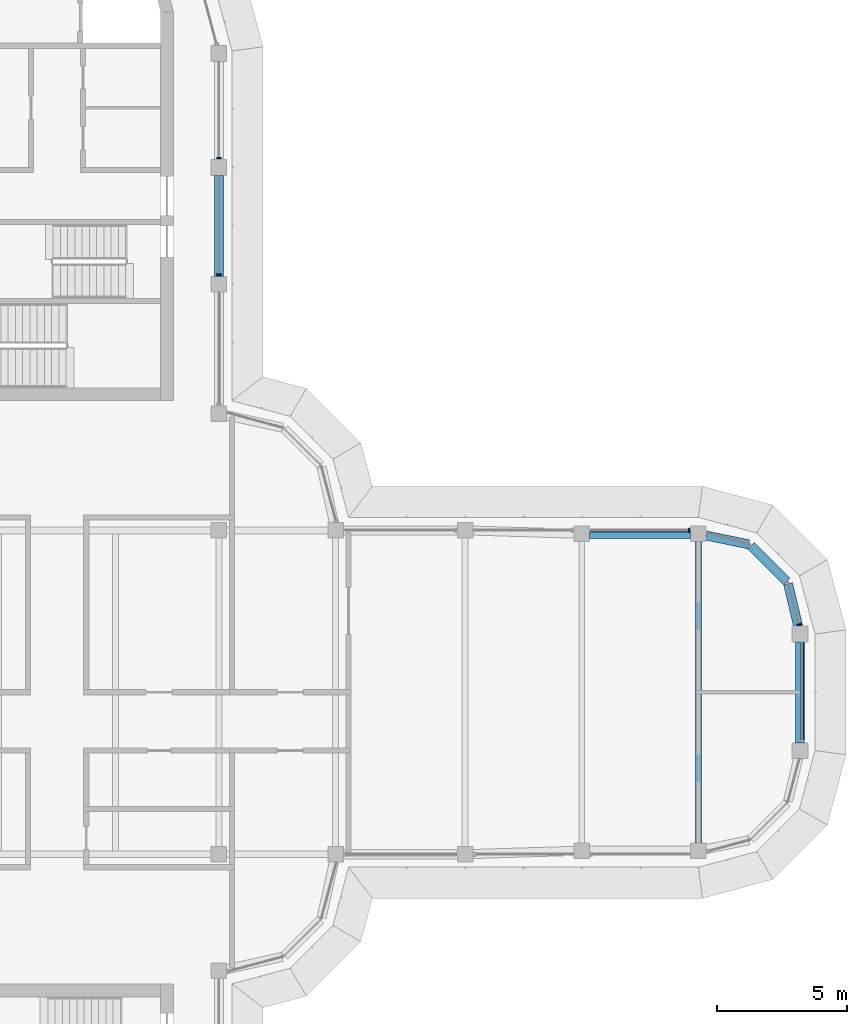
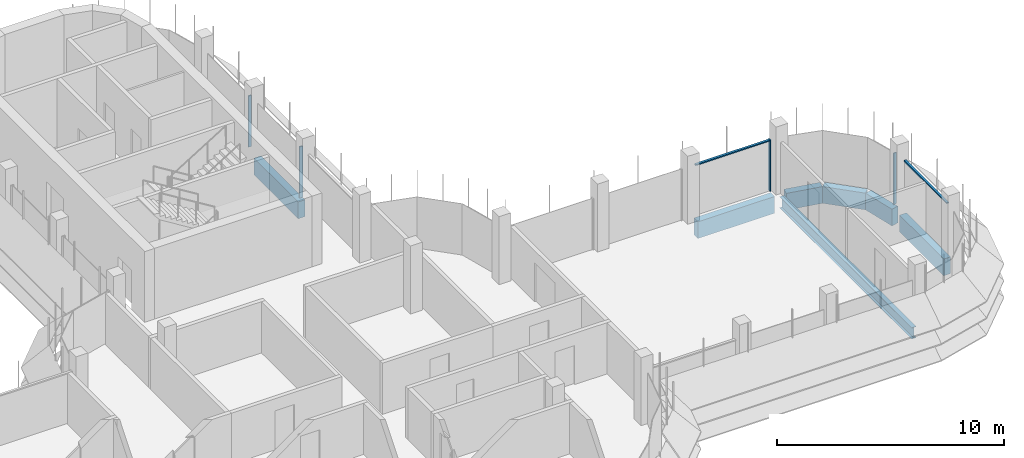
# One storey, part 9 of 19: 7 beams, 6 members, 4 elements without a shape of their own.
"""IFC4 building model written with IfcOpenShell, lengths in metres."""

from ifc_helpers import new_model, si_unit, direction, frame, origin, origin_2d, place, context, subcontext, project, spatial, polyline, rectangle, i_section, outline, extrude, source, transform, mapped, material, material_profile, profile_set, type_object, element, aggregate, save


model = new_model("IFC4")

# Units and contexts
model_context = context("Model", 3, precision=1e-05, world=origin(), true_north=direction((0.0, 1.0)))
body_context = subcontext(model_context, "Body", "Model", "MODEL_VIEW")
ifc_project = project(units=[si_unit("LENGTHUNIT", "METRE"), si_unit("AREAUNIT", "SQUARE_METRE"), si_unit("VOLUMEUNIT", "CUBIC_METRE"), si_unit("PLANEANGLEUNIT", "RADIAN"), si_unit("MASSUNIT", "GRAM", prefix="KILO")], contexts=[model_context])

# Site, building, storey
site_placement = place(None, origin())
site = spatial("IfcSite", under=ifc_project, at=site_placement, CompositionType="ELEMENT")
building_placement = place(site_placement, origin())
building = spatial("IfcBuilding", under=site, at=building_placement, Name="Zarbagh Exchange Tower", CompositionType="ELEMENT")
storey_placement = place(building_placement, frame((0.0, 0.0, 276.39990234375)))
storey = spatial("IfcBuildingStorey", under=building, at=storey_placement, Name="L68", CompositionType="ELEMENT", Elevation=276.39990234375)

# Beams
ifc_material_1 = material(Name="Steel ASTM A992 Gr 50", Category="steel")
ifc_material_profile_1 = material_profile(ifc_material_1, i_section(OverallWidth=0.228271484375, OverallDepth=0.607177734375, WebThickness=0.01123046875, FlangeThickness=0.017333984375, at=origin_2d()), Name="W24X76")
ifc_profile_set_1 = profile_set([ifc_material_profile_1], Name="Steel ASTM A992 Gr 50")
beam_type_1 = type_object("IfcBeamType", Name="Floor beam W24X76", PredefinedType="BEAM", material=ifc_profile_set_1)
beam_1_placement = place(storey_placement, frame((24.75, -5.81005859375, -0.453369140625), z_axis=(0.0, 1.0, 0.0), x_axis=(-1.0, 0.0, 0.0)))
element("IfcBeam", 1, at=beam_1_placement, inside=storey, type_object=beam_type_1, Name="Steel floor beam", PredefinedType="BEAM", context=body_context, shape_type="SweptSolid", body=[
    extrude(i_section(OverallWidth=0.228271484375, OverallDepth=0.607177734375, WebThickness=0.01123046875, FlangeThickness=0.017333984375, at=origin_2d()), origin(), (0.0, 0.0, 1.0), 11.6201171875),
])
ifc_material_2 = material(Name="Concrete C40/50", Category="concrete")
ifc_material_profile_2 = material_profile(ifc_material_2, rectangle(XDim=0.35009765625, YDim=0.89990234375, at=origin_2d()), Name="RC spandrel beam 350 x 900 C40/50")
ifc_profile_set_2 = profile_set([ifc_material_profile_2], Name="Concrete C40/50")
beam_type_2 = type_object("IfcBeamType", Name="RC spandrel beam 350 x 900 C40/50", PredefinedType="SPANDREL", material=ifc_profile_set_2)
for number, where, z_axis, x_axis, name in (
    (2, (6.25, 19.949951171875, -0.599853515625), (0.0, -1.0, 0.0), (1.0, 0.0, 0.0), "RC spandrel beam"),
    (3, (20.550048828125, 6.110107421875, -0.599853515625), (1.0, 0.0, 0.0), (0.0, 1.0, 0.0), "RC spandrel beam"),
):
    element("IfcBeam", number, at=place(storey_placement, frame(where, z_axis=z_axis, x_axis=x_axis)), inside=storey, type_object=beam_type_2, Name=name, PredefinedType="SPANDREL", context=body_context, shape_type="SweptSolid", body=[
        extrude(rectangle(XDim=0.35009765625, YDim=0.89990234375, at=origin_2d()), origin(), (0.0, 0.0, 1.0), 3.89990234375),
    ])
beam_2_placement = place(storey_placement, frame((25.043701171875, 6.04931640625, -0.599853515625), z_axis=(0.979349753205, -0.202173343684, 0.0), x_axis=(0.202173343684, 0.979349753205, 0.0)))
element("IfcBeam", 4, at=beam_2_placement, inside=storey, type_object=beam_type_2, Name="RC spandrel beam", PredefinedType="SPANDREL", context=body_context, shape_type="SweptSolid", body=[
    extrude(rectangle(XDim=0.35009765625, YDim=0.89990234375, at=origin_2d()), origin(), (0.0, 0.0, 1.0), 1.680908203125),
])
beam_3_placement = place(storey_placement, frame((26.7783203125, 5.661865234375, -0.599853515625), z_axis=(0.707106781187, -0.707106781187, 0.0), x_axis=(0.707106781187, 0.707106781187, 0.0)))
element("IfcBeam", 5, at=beam_3_placement, inside=storey, type_object=beam_type_2, Name="RC spandrel beam", PredefinedType="SPANDREL", context=body_context, shape_type="SweptSolid", body=[
    extrude(rectangle(XDim=0.35009765625, YDim=0.89990234375, at=origin_2d()), origin(), (0.0, 0.0, 1.0), 1.95947265625),
])
beam_4_placement = place(storey_placement, frame((28.210205078125, 4.19287109375, -0.599853515625), z_axis=(0.230258391117, -0.973129525459, 0.0), x_axis=(0.973129525459, 0.230258391117, 0.0)))
element("IfcBeam", 6, at=beam_4_placement, inside=storey, type_object=beam_type_2, Name="RC spandrel beam", PredefinedType="SPANDREL", context=body_context, shape_type="SweptSolid", body=[
    extrude(rectangle(XDim=0.35009765625, YDim=0.89990234375, at=origin_2d()), origin(), (0.0, 0.0, 1.0), 1.696533203125),
])
beam_5_placement = place(storey_placement, frame((28.669921875, 1.949951171875, -0.599853515625), z_axis=(0.0, -1.0, 0.0), x_axis=(1.0, 0.0, 0.0)))
element("IfcBeam", 7, at=beam_5_placement, inside=storey, type_object=beam_type_2, Name="RC spandrel beam", PredefinedType="SPANDREL", context=body_context, shape_type="SweptSolid", body=[
    extrude(rectangle(XDim=0.35009765625, YDim=0.89990234375, at=origin_2d()), origin(), (0.0, 0.0, 1.0), 3.89990234375),
])

# Curtain wall, member
ifc_material_3 = material(Name="Anodised aluminium frame and glazing", Category="aluminium")
curtain_wall_type = type_object("IfcCurtainWallType", Name="CWB Ribbon glazing, upper zones", PredefinedType="NOTDEFINED", material=ifc_material_3)
curtain_wall_1_placement = place(storey_placement, origin())
curtain_wall_1 = element("IfcCurtainWall", 8, at=curtain_wall_1_placement, inside=storey, type_object=curtain_wall_type, Name="CWB79 curtain wall", PredefinedType="NOTDEFINED")
ifc_material_4 = material(Name="Anodised aluminium frame", Category="aluminium")
member_type_1 = type_object("IfcMemberType", Name="MUB Mullion, anodised aluminium frame", PredefinedType="MULLION", material=ifc_material_4)
shared_shape_1 = source(origin(), body_context, "Body", "SweptSolid", [
    extrude(outline(polyline([(0.0, -0.080078125), (0.06005859375, -0.080078125), (0.06005859375, 0.080078125), (0.0, 0.080078125), (0.0, -0.080078125)])), origin(), (0.0, 0.0, 1.0), 2.75),
])
placement = place(storey_placement, origin())
member_1 = element("IfcMember", 9, at=placement, type_object=member_type_1, Name="CWB79 mullion 1.1", PredefinedType="MULLION", context=body_context, shape_type="MappedRepresentation", body=[
    mapped(shared_shape_1, transform((28.641357421875, 2.58984375, 0.0), x_axis=(-0.258824779902, 0.965924289636, 0.0), y_axis=(-0.965924289636, -0.258824779902, 0.0), z_axis=(0.0, 0.0, 1.0))),
])
aggregate(curtain_wall_1, [member_1])

curtain_wall_2_placement = place(storey_placement, origin())
curtain_wall_2 = element("IfcCurtainWall", 10, at=curtain_wall_2_placement, inside=storey, type_object=curtain_wall_type, Name="CWB82 curtain wall", PredefinedType="NOTDEFINED")
member_2 = element("IfcMember", 11, at=placement, type_object=member_type_1, Name="CWB82 mullion 1.1", PredefinedType="MULLION", context=body_context, shape_type="MappedRepresentation", body=[
    mapped(shared_shape_1, transform((24.409912109375, 6.25, 0.0), x_axis=(-1.0, 0.0, 0.0), y_axis=(0.0, -1.0, 0.0), z_axis=(0.0, 0.0, 1.0))),
])

# Curtain wall, members
curtain_wall_3_placement = place(storey_placement, origin())
curtain_wall_3 = element("IfcCurtainWall", 12, at=curtain_wall_3_placement, inside=storey, type_object=curtain_wall_type, Name="CWB67 curtain wall", PredefinedType="NOTDEFINED")
member_3 = element("IfcMember", 13, at=placement, type_object=member_type_1, Name="CWB67 mullion 2.1", PredefinedType="MULLION", context=body_context, shape_type="MappedRepresentation", body=[
    mapped(shared_shape_1, transform((6.25, 16.090087890625, 0.0), x_axis=(0.0, 1.0, 0.0), y_axis=(-1.0, 0.0, 0.0), z_axis=(0.0, 0.0, 1.0))),
])
member_4 = element("IfcMember", 14, at=placement, type_object=member_type_1, Name="CWB67 mullion 3.1", PredefinedType="MULLION", context=body_context, shape_type="MappedRepresentation", body=[
    mapped(shared_shape_1, transform((6.25, 20.590087890625, 0.0), x_axis=(0.0, 1.0, 0.0), y_axis=(-1.0, 0.0, 0.0), z_axis=(0.0, 0.0, 1.0))),
])
aggregate(curtain_wall_3, [member_3, member_4])

# Curtain wall, member
curtain_wall_4_placement = place(storey_placement, origin())
curtain_wall_4 = element("IfcCurtainWall", 15, at=curtain_wall_4_placement, inside=storey, type_object=curtain_wall_type, Name="CWB83 curtain wall", PredefinedType="NOTDEFINED")
member_type_2 = type_object("IfcMemberType", Name="TRB Transom, anodised aluminium frame", PredefinedType="USERDEFINED", material=ifc_material_4)
shared_shape_2 = source(origin(), body_context, "Body", "SweptSolid", [
    extrude(outline(polyline([(-0.06005859375, -0.06005859375), (0.0, -0.06005859375), (0.0, 0.06005859375), (-0.06005859375, 0.06005859375), (-0.06005859375, -0.06005859375)])), origin(), (0.0, 0.0, 1.0), 3.760009765625),
])
member_5 = element("IfcMember", 16, at=placement, type_object=member_type_2, Name="CWB83 transom 1.1", ObjectType="TRANSOM", PredefinedType="USERDEFINED", context=body_context, shape_type="MappedRepresentation", body=[
    mapped(shared_shape_2, transform((28.75, -1.849853515625, 2.75), x_axis=(0.0, 0.0, 1.0), y_axis=(1.0, 0.0, 0.0), z_axis=(0.0, 1.0, 0.0))),
])
aggregate(curtain_wall_4, [member_5])

# Member
member_6 = element("IfcMember", 17, at=placement, type_object=member_type_2, Name="CWB82 transom 1.1", ObjectType="TRANSOM", PredefinedType="USERDEFINED", context=body_context, shape_type="MappedRepresentation", body=[
    mapped(shared_shape_2, transform((24.349853515625, 6.25, 2.75), x_axis=(0.0, 0.0, 1.0), y_axis=(0.0, 1.0, 0.0), z_axis=(-1.0, 0.0, 0.0))),
])

aggregate(curtain_wall_2, [member_2, member_6])

save(model, "model.ifc")
